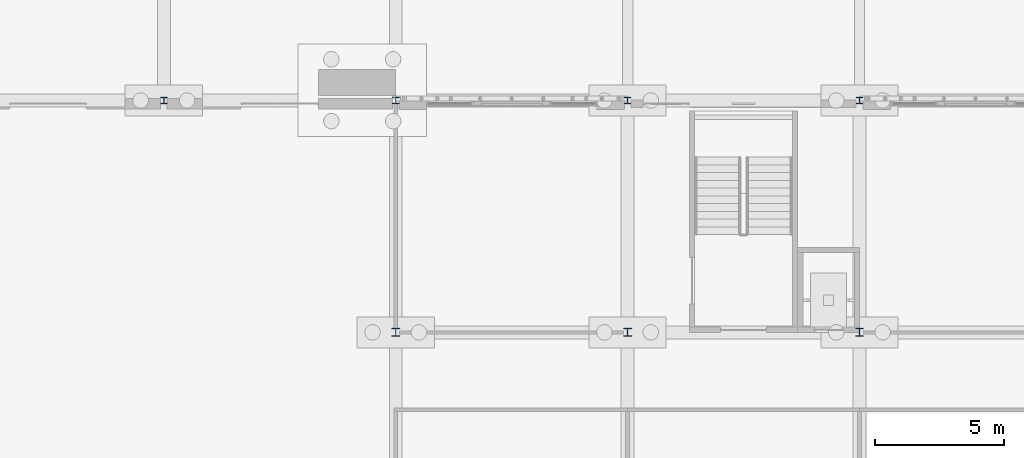
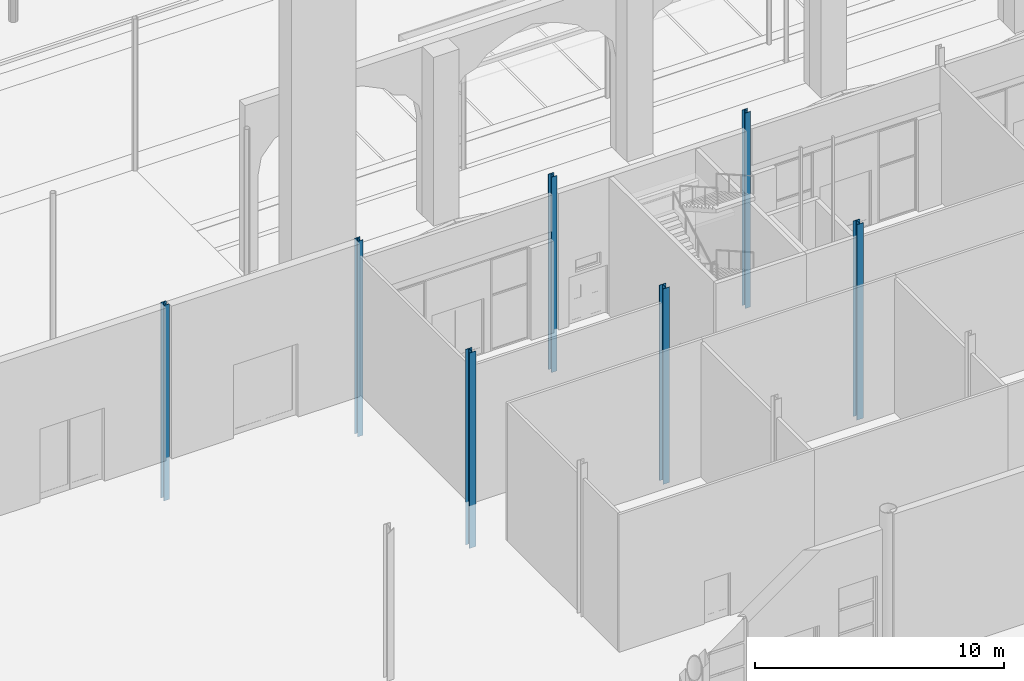
# One storey, part 26 of 250: 7 columns.
"""IFC4 building model written with IfcOpenShell, lengths in metres."""

from ifc_helpers import new_model, si_unit, direction, frame, origin, origin_2d, place, context, subcontext, project, spatial, i_section, extrude, material, material_profile, profile_set, type_object, element, save


model = new_model("IFC4")

# Units and contexts
model_context = context("Model", 3, precision=1e-05, world=origin(), true_north=direction((0.0, 1.0)))
body_context = subcontext(model_context, "Body", "Model", "MODEL_VIEW")
ifc_project = project(units=[si_unit("LENGTHUNIT", "METRE"), si_unit("AREAUNIT", "SQUARE_METRE"), si_unit("VOLUMEUNIT", "CUBIC_METRE"), si_unit("PLANEANGLEUNIT", "RADIAN"), si_unit("MASSUNIT", "GRAM", prefix="KILO")], contexts=[model_context])

# Site, building, storey
site_placement = place(None, origin())
site = spatial("IfcSite", under=ifc_project, at=site_placement, CompositionType="ELEMENT")
building_placement = place(site_placement, origin())
building = spatial("IfcBuilding", under=site, at=building_placement, Name="Baradari Gate Terminus", CompositionType="ELEMENT")
storey_placement = place(building_placement, origin())
storey = spatial("IfcBuildingStorey", under=building, at=storey_placement, Name="L00", CompositionType="ELEMENT", Elevation=0.0)

# Columns
ifc_material_1 = material(Name="Steel S355", Category="steel")
ifc_material_profile_1 = material_profile(ifc_material_1, i_section(OverallWidth=0.307373046875, OverallDepth=0.314453125, WebThickness=0.011962890625, FlangeThickness=0.018798828125, FilletRadius=0.01513671875, at=origin_2d()), Name="UC 305x305x118")
ifc_profile_set_1 = profile_set([ifc_material_profile_1], Name="Steel S355")
column_type_1 = type_object("IfcColumnType", Name="Head-house column C07 UC 305x305x118", PredefinedType="COLUMN", material=ifc_profile_set_1)
for number, where, z_axis, x_axis, name in (
    (1, (171.0, 99.0, -2.10009765625), (0.0, 0.0, 1.0), (1.0, 0.0, 0.0), "C07 column 20-M L00"),
    (2, (180.0, 99.0, -2.10009765625), (0.0, 0.0, 1.0), (1.0, 0.0, 0.0), "C07 column 21-M L00"),
    (3, (189.0, 99.0, -2.10009765625), (0.0, 0.0, 1.0), (1.0, 0.0, 0.0), "C07 column 22-M L00"),
):
    element("IfcColumn", number, at=place(storey_placement, frame(where, z_axis=z_axis, x_axis=x_axis)), inside=storey, type_object=column_type_1, Name=name, PredefinedType="COLUMN", context=body_context, shape_type="SweptSolid", body=[
        extrude(i_section(OverallWidth=0.307373046875, OverallDepth=0.314453125, WebThickness=0.011962890625, FlangeThickness=0.018798828125, FilletRadius=0.01513671875, at=origin_2d()), origin(), (0.0, 0.0, 1.0), 9.60009765625),
    ])
ifc_material_2 = material(Name="Steel S355", Category="steel")
ifc_material_profile_2 = material_profile(ifc_material_2, i_section(OverallWidth=0.25634765625, OverallDepth=0.26025390625, WebThickness=0.01025390625, FlangeThickness=0.017333984375, FilletRadius=0.0126953125, at=origin_2d()), Name="UC 254x254x89")
ifc_profile_set_2 = profile_set([ifc_material_profile_2], Name="Steel S355")
column_type_2 = type_object("IfcColumnType", Name="Head-house facade column C08 UC 254x254x89", PredefinedType="COLUMN", material=ifc_profile_set_2)
for number, where, z_axis, x_axis, name in (
    (4, (162.0, 108.0, -2.10009765625), (0.0, 0.0, 1.0), (1.0, 0.0, 0.0), "C08 column 19-N L00"),
    (5, (171.0, 108.0, -2.10009765625), (0.0, 0.0, 1.0), (1.0, 0.0, 0.0), "C08 column 20-N L00"),
    (6, (180.0, 108.0, -2.10009765625), (0.0, 0.0, 1.0), (1.0, 0.0, 0.0), "C08 column 21-N L00"),
    (7, (189.0, 108.0, -2.10009765625), (0.0, 0.0, 1.0), (1.0, 0.0, 0.0), "C08 column 22-N L00"),
):
    element("IfcColumn", number, at=place(storey_placement, frame(where, z_axis=z_axis, x_axis=x_axis)), inside=storey, type_object=column_type_2, Name=name, PredefinedType="COLUMN", context=body_context, shape_type="SweptSolid", body=[
        extrude(i_section(OverallWidth=0.25634765625, OverallDepth=0.26025390625, WebThickness=0.01025390625, FlangeThickness=0.017333984375, FilletRadius=0.0126953125, at=origin_2d()), origin(), (0.0, 0.0, 1.0), 9.60009765625),
    ])

save(model, "model.ifc")
